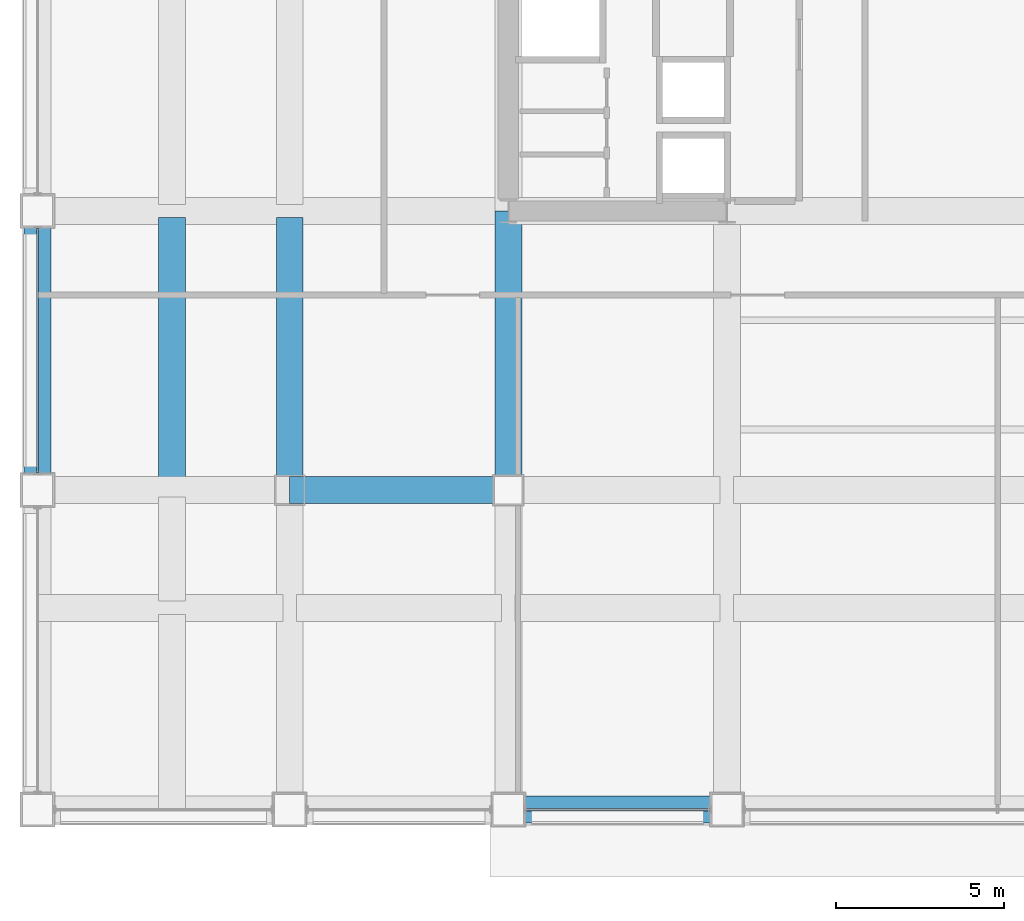
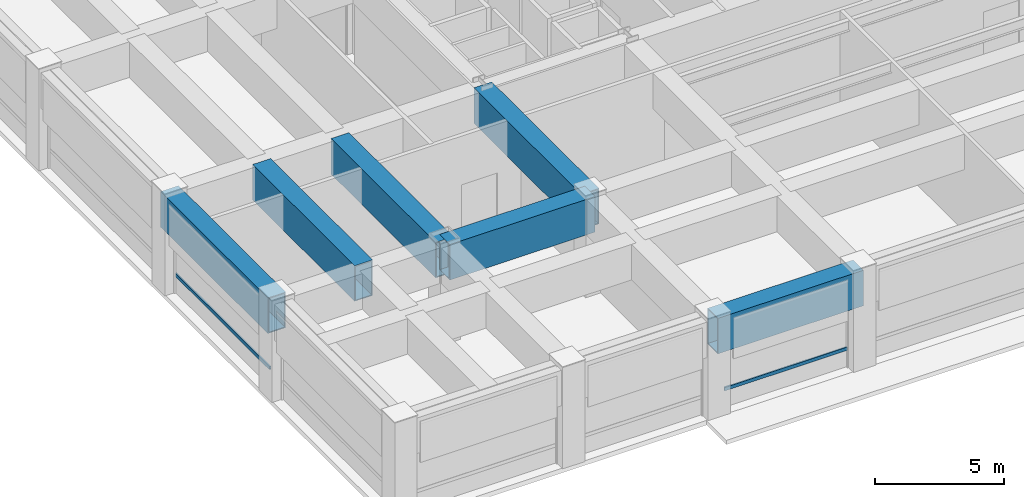
# One storey, part 3 of 30: 6 beams, 2 members, 2 elements without a shape of their own.
"""IFC4 building model written with IfcOpenShell, lengths in metres."""

from ifc_helpers import new_model, si_unit, direction, frame, origin, origin_2d, place, context, subcontext, project, spatial, hollow_rectangle, extrude, material, layer, layer_set, material_profile, profile_set, type_object, element, aggregate, save


model = new_model("IFC4")

# Units and contexts
model_context = context("Model", 3, precision=1e-05, world=origin(), true_north=direction((0.0, 1.0)))
body_context = subcontext(model_context, "Body", "Model", "MODEL_VIEW")
ifc_project = project(units=[si_unit("LENGTHUNIT", "METRE"), si_unit("AREAUNIT", "SQUARE_METRE"), si_unit("VOLUMEUNIT", "CUBIC_METRE"), si_unit("PLANEANGLEUNIT", "RADIAN"), si_unit("MASSUNIT", "GRAM", prefix="KILO")], contexts=[model_context])

# Site, building, storey
site_placement = place(None, origin())
site = spatial("IfcSite", under=ifc_project, at=site_placement, CompositionType="ELEMENT")
building_placement = place(site_placement, origin())
building = spatial("IfcBuilding", under=site, at=building_placement, Name="Brelmoor Portico Tower", CompositionType="ELEMENT")
storey_placement = place(building_placement, frame((0.0, 0.0, 19.199951171875)))
storey = spatial("IfcBuildingStorey", under=building, at=storey_placement, Name="L04", CompositionType="ELEMENT", Elevation=19.199951171875)

# Beams
ifc_material_1 = material(Name="Steel Q355B", Category="steel")
ifc_material_profile_1 = material_profile(ifc_material_1, hollow_rectangle(XDim=0.800048828125, YDim=1.679931640625, WallThickness=0.044921875, at=origin_2d()), Name="BOX 800x1680x45")
ifc_profile_set_1 = profile_set([ifc_material_profile_1], Name="Steel Q355B")
beam_type = type_object("IfcBeamType", Name="BM-TG-Z1", PredefinedType="BEAM", material=ifc_profile_set_1)
beam_1_placement = place(storey_placement, frame((-14.550048828125, -27.550048828125, 3.760009765625), z_axis=(1.0, 0.0, 0.0), x_axis=(0.0, 1.0, 0.0)))
element("IfcBeam", 1, at=beam_1_placement, inside=storey, type_object=beam_type, Name="L04 Perimeter Transfer Beam SP-03", PredefinedType="BEAM", context=body_context, shape_type="SweptSolid", body=[
    extrude(hollow_rectangle(XDim=0.800048828125, YDim=1.679931640625, WallThickness=0.044921875, at=origin_2d()), origin(), (0.0, 0.0, 1.0), 6.5),
])
for number, where, z_axis, x_axis, name in (
    (2, (-28.550048828125, -18.050048828125, 3.760009765625), (0.0, 1.0, 0.0), (-1.0, 0.0, 0.0), "L04 Perimeter Transfer Beam SP-16"),
    (3, (-14.550048828125, -18.050048828125, 3.760009765625), (0.0, 1.0, 0.0), (-1.0, 0.0, 0.0), "L04 Setback Transfer Girder PG-04"),
):
    element("IfcBeam", number, at=place(storey_placement, frame(where, z_axis=z_axis, x_axis=x_axis)), inside=storey, type_object=beam_type, Name=name, PredefinedType="BEAM", context=body_context, shape_type="SweptSolid", body=[
        extrude(hollow_rectangle(XDim=0.800048828125, YDim=1.679931640625, WallThickness=0.044921875, at=origin_2d()), origin(), (0.0, 0.0, 1.0), 8.300048828125),
    ])
beam_2_placement = place(storey_placement, frame((-21.050048828125, -18.050048828125, 3.760009765625), z_axis=(1.0, 0.0, 0.0), x_axis=(0.0, 1.0, 0.0)))
element("IfcBeam", 4, at=beam_2_placement, inside=storey, type_object=beam_type, Name="L04 Setback Transfer Girder PG-22", PredefinedType="BEAM", context=body_context, shape_type="SweptSolid", body=[
    extrude(hollow_rectangle(XDim=0.800048828125, YDim=1.679931640625, WallThickness=0.044921875, at=origin_2d()), origin(), (0.0, 0.0, 1.0), 6.5),
])
beam_3_placement = place(storey_placement, frame((-21.050048828125, -18.050048828125, 3.760009765625), z_axis=(0.0, 1.0, 0.0), x_axis=(-1.0, 0.0, 0.0)))
element("IfcBeam", 5, at=beam_3_placement, inside=storey, type_object=beam_type, Name="L04 Setback Transfer Girder TGN-28", PredefinedType="BEAM", context=body_context, shape_type="SweptSolid", body=[
    extrude(hollow_rectangle(XDim=0.800048828125, YDim=1.679931640625, WallThickness=0.044921875, at=origin_2d()), origin(), (0.0, 0.0, 1.0), 8.10009765625),
])
beam_4_placement = place(storey_placement, frame((-24.550048828125, -17.85009765625, 3.760009765625), z_axis=(0.0, 1.0, 0.0), x_axis=(-1.0, 0.0, 0.0)))
element("IfcBeam", 6, at=beam_4_placement, inside=storey, type_object=beam_type, Name="L04 Setback Transfer Girder TGN-41", PredefinedType="BEAM", context=body_context, shape_type="SweptSolid", body=[
    extrude(hollow_rectangle(XDim=0.800048828125, YDim=1.679931640625, WallThickness=0.044921875, at=origin_2d()), origin(), (0.0, 0.0, 1.0), 7.900146484375),
])

# Curtain wall, member
ifc_material_2 = material(Name="Anodised Aluminium Alloy 6063-T6", Category="aluminium")
ifc_layer = layer(ifc_material_2, 0.179931640625)
ifc_layer_set = layer_set([ifc_layer], Name="Anodised Aluminium Alloy 6063-T6")
curtain_wall_type = type_object("IfcCurtainWallType", Name="CW-PODIUM-ARCH", PredefinedType="NOTDEFINED", material=ifc_layer_set)
curtain_wall_1_placement = place(storey_placement, origin())
curtain_wall_1 = element("IfcCurtainWall", 7, at=curtain_wall_1_placement, inside=storey, type_object=curtain_wall_type, Name="L04 Curtain Wall CW-L04-01-3", PredefinedType="NOTDEFINED")
ifc_material_profile_2 = material_profile(ifc_material_2, hollow_rectangle(XDim=0.070068359375, YDim=0.159912109375, WallThickness=0.00390625, at=origin_2d()), Name="ALU TRANSOM 70x160")
ifc_profile_set_2 = profile_set([ifc_material_profile_2], Name="Anodised Aluminium Alloy 6063-T6")
member_type = type_object("IfcMemberType", Name="MB-CW-TRAN-160", PredefinedType="USERDEFINED", material=ifc_profile_set_2)
member_1_placement = place(storey_placement, frame((-14.0400390625, -27.550048828125, 0.85009765625), z_axis=(1.0, 0.0, 0.0), x_axis=(0.0, 1.0, 0.0)))
member_1 = element("IfcMember", 8, at=member_1_placement, type_object=member_type, Name="CW-L04-01-3 Transom 1-00", ObjectType="TRANSOM", PredefinedType="USERDEFINED", context=body_context, shape_type="SweptSolid", body=[
    extrude(hollow_rectangle(XDim=0.070068359375, YDim=0.159912109375, WallThickness=0.00390625, at=origin_2d()), origin(), (0.0, 0.0, 1.0), 5.47998046875),
])
aggregate(curtain_wall_1, [member_1])

curtain_wall_2_placement = place(storey_placement, origin())
curtain_wall_2 = element("IfcCurtainWall", 9, at=curtain_wall_2_placement, inside=storey, type_object=curtain_wall_type, Name="L04 Curtain Wall CW-L04-03-2", PredefinedType="NOTDEFINED")
member_2_placement = place(storey_placement, frame((-28.550048828125, -17.5400390625, 0.85009765625), z_axis=(0.0, 1.0, 0.0), x_axis=(-1.0, 0.0, 0.0)))
member_2 = element("IfcMember", 10, at=member_2_placement, type_object=member_type, Name="CW-L04-03-2 Transom 1-00", ObjectType="TRANSOM", PredefinedType="USERDEFINED", context=body_context, shape_type="SweptSolid", body=[
    extrude(hollow_rectangle(XDim=0.070068359375, YDim=0.159912109375, WallThickness=0.00390625, at=origin_2d()), origin(), (0.0, 0.0, 1.0), 7.280029296875),
])
aggregate(curtain_wall_2, [member_2])

save(model, "model.ifc")
